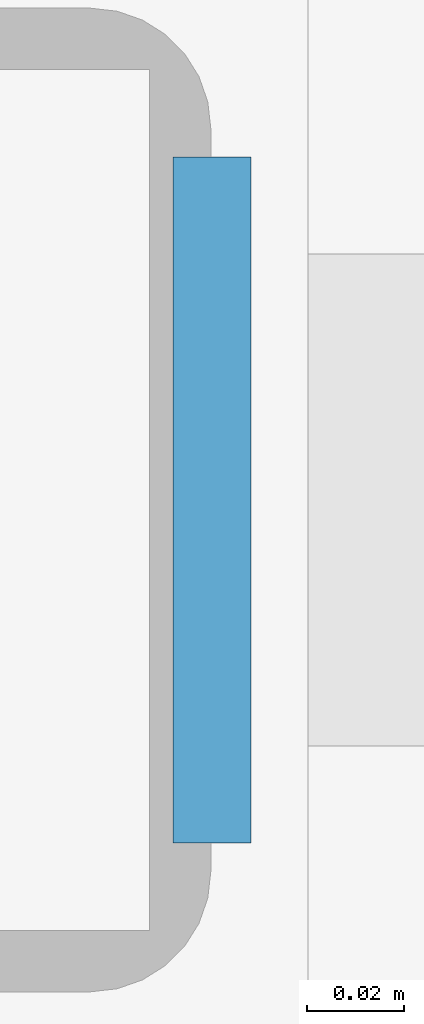
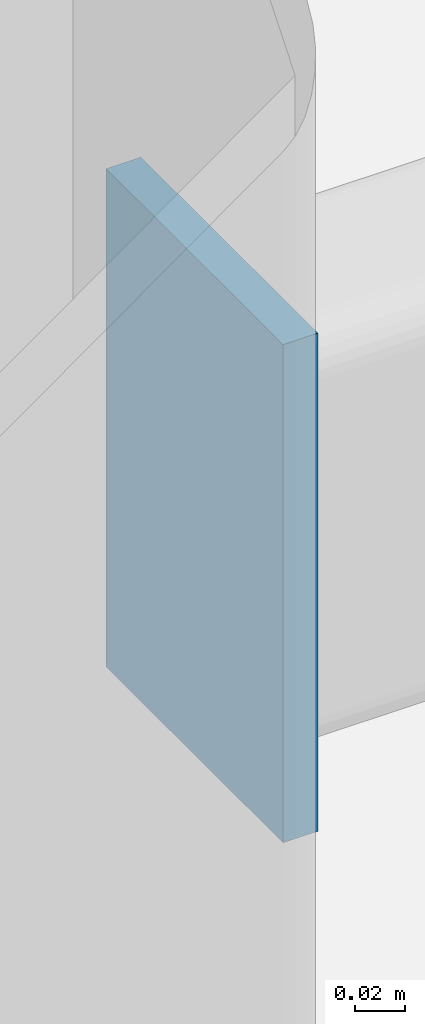
# One storey, part 34 of 72: 1 plate.
"""IFC4 building model written with IfcOpenShell, lengths in metres."""

from ifc_helpers import new_model, si_unit, direction, frame, origin, origin_2d, place, context, subcontext, project, spatial, rectangle, extrude, material, layer, layer_set, type_object, element, save


model = new_model("IFC4")

# Units and contexts
model_context = context("Model", 3, precision=1e-05, world=origin(), true_north=direction((0.0, 1.0)))
body_context = subcontext(model_context, "Body", "Model", "MODEL_VIEW")
ifc_project = project(units=[si_unit("LENGTHUNIT", "METRE"), si_unit("AREAUNIT", "SQUARE_METRE"), si_unit("VOLUMEUNIT", "CUBIC_METRE"), si_unit("PLANEANGLEUNIT", "RADIAN"), si_unit("MASSUNIT", "GRAM", prefix="KILO")], contexts=[model_context])

# Site, building, storey
site_placement = place(None, origin())
site = spatial("IfcSite", under=ifc_project, at=site_placement, CompositionType="ELEMENT")
building_placement = place(site_placement, origin())
building = spatial("IfcBuilding", under=site, at=building_placement, Name="Calvrana Isthmian Art Gallery", CompositionType="ELEMENT")
storey_placement = place(building_placement, frame((0.0, 0.0, 15.0)))
storey = spatial("IfcBuildingStorey", under=building, at=storey_placement, Name="L03", CompositionType="ELEMENT", Elevation=15.0)

# Plate
ifc_material = material(Name="Steel ASTM A572 Gr 50", Category="steel")
ifc_layer = layer(ifc_material, 0.01611328125, Name="Steel ASTM A572 Gr 50")
ifc_layer_set = layer_set([ifc_layer], Name="Steel ASTM A572 Gr 50")
plate_type = type_object("IfcPlateType", Name="PL-CAP-16", PredefinedType="SHEET", material=ifc_layer_set)
plate_placement = place(storey_placement, frame((38.501708984375, 30.0, 3.2783203125), z_axis=(0.0, 0.0, 1.0), x_axis=(1.0, 0.0, 0.0)))
element("IfcPlate", 1, at=plate_placement, inside=storey, type_object=plate_type, Name="Hollow section end cap plate 536", PredefinedType="SHEET", context=body_context, shape_type="SweptSolid", body=[
    extrude(rectangle(XDim=0.01611328125, YDim=0.1416015625, at=origin_2d()), origin(), (0.0, 0.0, 1.0), 0.2431640625),
])

save(model, "model.ifc")
